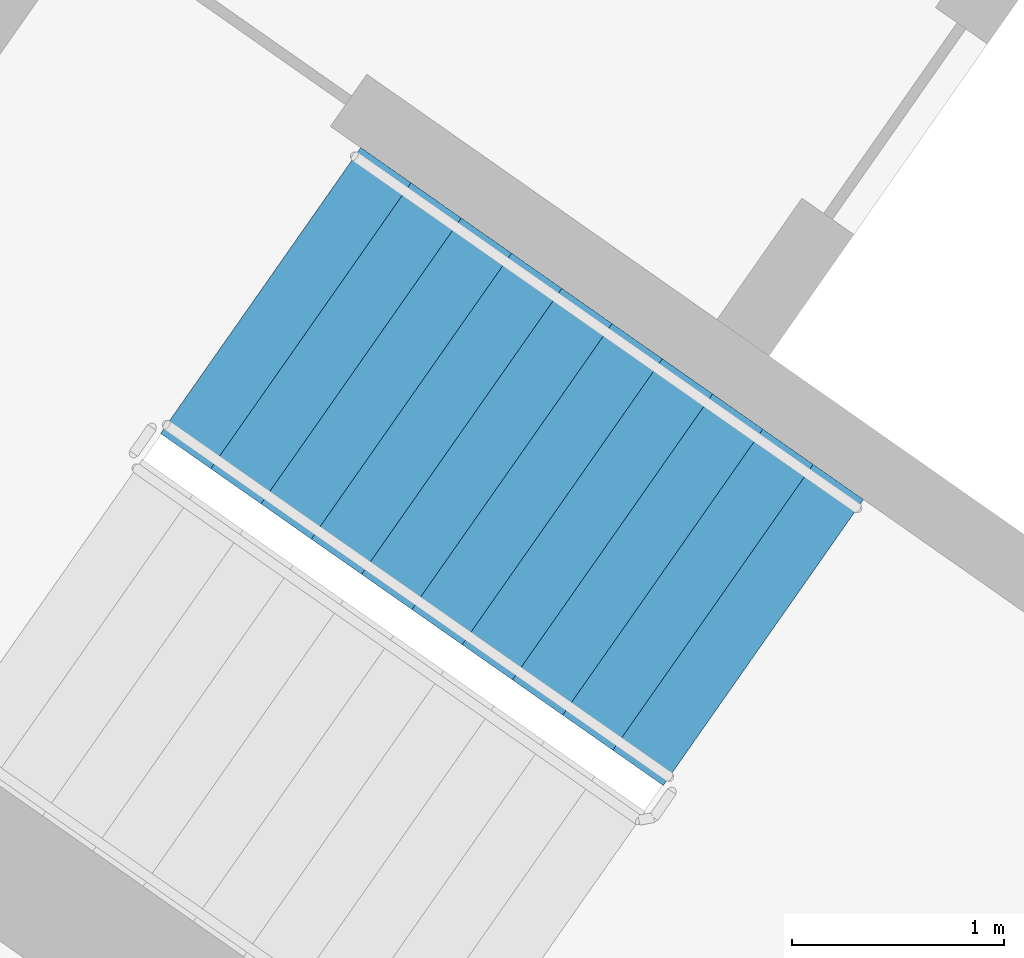
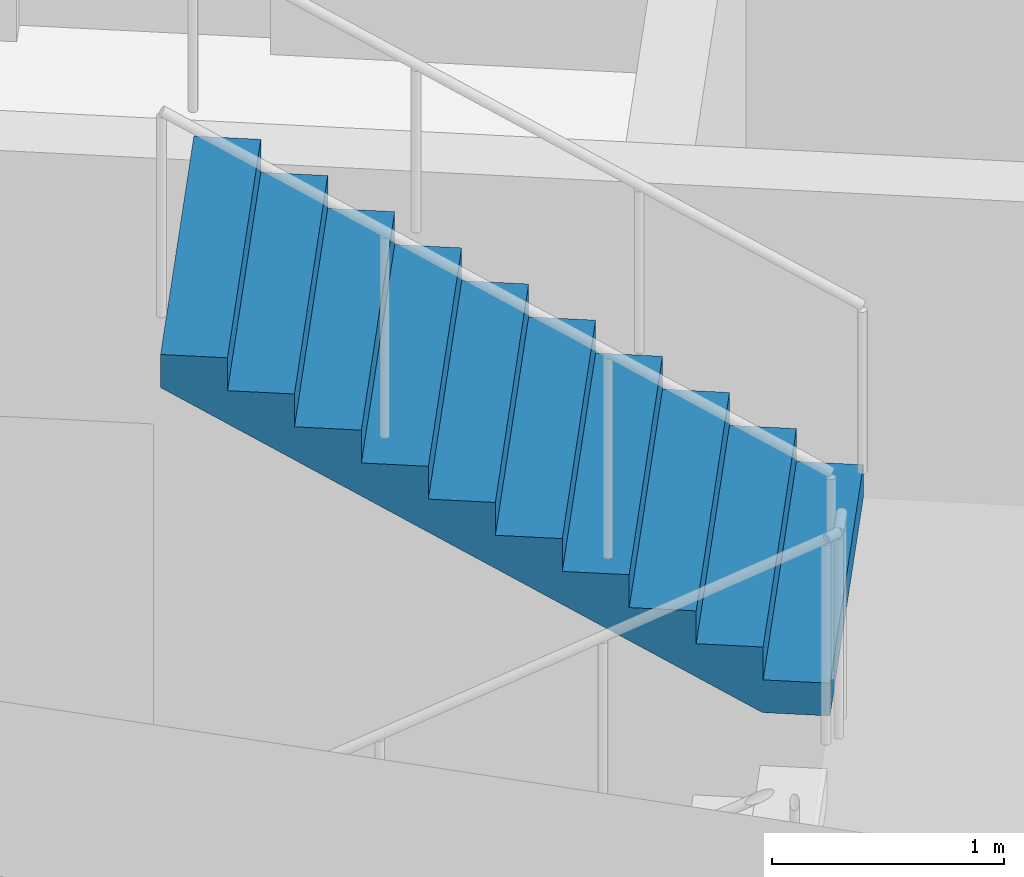
# One storey, part 10 of 28: 1 stair flight, 1 element without a shape of its own.
"""IFC4 building model written with IfcOpenShell, lengths in metres."""

from ifc_helpers import new_model, si_unit, direction, frame, origin, place, context, subcontext, project, spatial, faceted_brep, material, type_object, element, aggregate, save


model = new_model("IFC4")

# Units and contexts
model_context = context("Model", 3, precision=1e-05, world=origin(), true_north=direction((0.0, 1.0)))
body_context = subcontext(model_context, "Body", "Model", "MODEL_VIEW")
ifc_project = project(units=[si_unit("LENGTHUNIT", "METRE"), si_unit("AREAUNIT", "SQUARE_METRE"), si_unit("VOLUMEUNIT", "CUBIC_METRE"), si_unit("PLANEANGLEUNIT", "RADIAN"), si_unit("MASSUNIT", "GRAM", prefix="KILO")], contexts=[model_context])

# Site, building, storey
site_placement = place(None, origin())
site = spatial("IfcSite", under=ifc_project, at=site_placement, CompositionType="ELEMENT")
building_placement = place(site_placement, origin())
building = spatial("IfcBuilding", under=site, at=building_placement, Name="Qamariyya Broadcast Tower", CompositionType="ELEMENT")
storey_placement = place(building_placement, frame((0.0, 0.0, 265.699951171875)))
storey = spatial("IfcBuildingStorey", under=building, at=storey_placement, Name="L64", CompositionType="ELEMENT", Elevation=265.699951171875)

# Stair, stair flight
ifc_material = material(Name="Concrete C50/60", Category="concrete")
stair_type = type_object("IfcStairType", Name="Exit stair 22 risers of 173 mm", PredefinedType="HALF_TURN_STAIR", material=ifc_material)
stair_placement = place(storey_placement, origin())
stair = element("IfcStair", 1, at=stair_placement, inside=storey, type_object=stair_type, Name="L64 Stair W1", PredefinedType="HALF_TURN_STAIR")
stair_flight_type = type_object("IfcStairFlightType", Name="Exit stair flight 11 risers of 173 mm", PredefinedType="STRAIGHT", material=ifc_material)
stair_flight_placement = place(storey_placement, frame((-43.660888671875, -57.17138671875, 1.900146484375), z_axis=(0.0, 0.0, 1.0), x_axis=(-0.819152044289, 0.573576436351, 0.0)))
stair_flight = element("IfcStairFlight", 2, at=stair_flight_placement, type_object=stair_flight_type, Name="ST-W1 flight 2", NumberOfRisers=11, NumberOfTreads=10, PredefinedType="STRAIGHT", RiserHeight=0.172727273, TreadLength=0.29, context=body_context, shape_type="Brep", body=[
    faceted_brep([(0.0, 0.824951171875, 0.0), (0.0, 0.824951171875, 0.172607421875), (0.2900390625, 0.824951171875, 0.172607421875), (0.2900390625, 0.824951171875, 0.345458984375), (0.580078125, 0.824951171875, 0.345458984375), (0.580078125, 0.824951171875, 0.51806640625), (0.8701171875, 0.824951171875, 0.51806640625), (0.8701171875, 0.824951171875, 0.69091796875), (1.159912109375, 0.824951171875, 0.69091796875), (1.159912109375, 0.824951171875, 0.863525390625), (1.449951171875, 0.824951171875, 0.863525390625), (1.449951171875, 0.824951171875, 1.036376953125), (1.739990234375, 0.824951171875, 1.036376953125), (1.739990234375, 0.824951171875, 1.208984375), (2.030029296875, 0.824951171875, 1.208984375), (2.030029296875, 0.824951171875, 1.3818359375), (2.320068359375, 0.824951171875, 1.3818359375), (2.320068359375, 0.824951171875, 1.554443359375), (2.610107421875, 0.824951171875, 1.554443359375), (2.610107421875, 0.824951171875, 1.727294921875), (2.89990234375, 0.824951171875, 1.727294921875), (2.89990234375, 0.824951171875, 1.552734375), (0.29296875, 0.824951171875, 0.0), (0.29296875, -0.824951171875, 0.0), (2.89990234375, -0.824951171875, 1.552734375), (2.89990234375, -0.824951171875, 1.727294921875), (2.610107421875, -0.824951171875, 1.727294921875), (2.610107421875, -0.824951171875, 1.554443359375), (2.320068359375, -0.824951171875, 1.554443359375), (2.320068359375, -0.824951171875, 1.3818359375), (2.030029296875, -0.824951171875, 1.3818359375), (2.030029296875, -0.824951171875, 1.208984375), (1.739990234375, -0.824951171875, 1.208984375), (1.739990234375, -0.824951171875, 1.036376953125), (1.449951171875, -0.824951171875, 1.036376953125), (1.449951171875, -0.824951171875, 0.863525390625), (1.159912109375, -0.824951171875, 0.863525390625), (1.159912109375, -0.824951171875, 0.69091796875), (0.8701171875, -0.824951171875, 0.69091796875), (0.8701171875, -0.824951171875, 0.51806640625), (0.580078125, -0.824951171875, 0.51806640625), (0.580078125, -0.824951171875, 0.345458984375), (0.2900390625, -0.824951171875, 0.345458984375), (0.2900390625, -0.824951171875, 0.172607421875), (0.0, -0.824951171875, 0.172607421875), (0.0, -0.824951171875, 0.0), (0.0, 0.10009765625, 0.0), (0.0, 0.086669921875, 0.0), (0.0, 0.0732421875, 0.0), (0.0, 0.06005859375, 0.0), (0.0, 0.046630859375, 0.0), (0.0, 0.033447265625, 0.0), (0.0, 0.02001953125, 0.0), (0.0, 0.006591796875, 0.0), (0.0, -0.006591796875, 0.0), (0.0, -0.02001953125, 0.0), (0.0, -0.033447265625, 0.0), (0.0, -0.046630859375, 0.0), (0.0, -0.06005859375, 0.0), (0.0, -0.0732421875, 0.0), (0.0, -0.086669921875, 0.0), (0.0, -0.10009765625, 0.0), (0.0, -0.10009765625, 0.172607421875), (0.0, -0.086669921875, 0.172607421875), (0.0, -0.0732421875, 0.172607421875), (0.0, -0.06005859375, 0.172607421875), (0.0, -0.046630859375, 0.172607421875), (0.0, -0.033447265625, 0.172607421875), (0.0, -0.02001953125, 0.172607421875), (0.0, -0.006591796875, 0.172607421875), (0.0, 0.006591796875, 0.172607421875), (0.0, 0.02001953125, 0.172607421875), (0.0, 0.033447265625, 0.172607421875), (0.0, 0.046630859375, 0.172607421875), (0.0, 0.06005859375, 0.172607421875), (0.0, 0.0732421875, 0.172607421875), (0.0, 0.086669921875, 0.172607421875), (0.0, 0.10009765625, 0.172607421875), (0.2900390625, -0.10009765625, 0.172607421875), (0.2900390625, -0.086669921875, 0.172607421875), (0.2900390625, -0.0732421875, 0.172607421875), (0.2900390625, -0.06005859375, 0.172607421875), (0.2900390625, -0.046630859375, 0.172607421875), (0.2900390625, -0.033447265625, 0.172607421875), (0.2900390625, -0.02001953125, 0.172607421875), (0.2900390625, -0.006591796875, 0.172607421875), (0.2900390625, 0.006591796875, 0.172607421875), (0.2900390625, 0.02001953125, 0.172607421875), (0.2900390625, 0.033447265625, 0.172607421875), (0.2900390625, 0.046630859375, 0.172607421875), (0.2900390625, 0.06005859375, 0.172607421875), (0.2900390625, 0.0732421875, 0.172607421875), (0.2900390625, 0.086669921875, 0.172607421875), (0.2900390625, 0.10009765625, 0.172607421875), (0.2900390625, -0.10009765625, 0.345458984375), (0.2900390625, -0.086669921875, 0.345458984375), (0.2900390625, -0.0732421875, 0.345458984375), (0.2900390625, -0.06005859375, 0.345458984375), (0.2900390625, -0.046630859375, 0.345458984375), (0.2900390625, -0.033447265625, 0.345458984375), (0.2900390625, -0.02001953125, 0.345458984375), (0.2900390625, -0.006591796875, 0.345458984375), (0.2900390625, 0.006591796875, 0.345458984375), (0.2900390625, 0.02001953125, 0.345458984375), (0.2900390625, 0.033447265625, 0.345458984375), (0.2900390625, 0.046630859375, 0.345458984375), (0.2900390625, 0.06005859375, 0.345458984375), (0.2900390625, 0.0732421875, 0.345458984375), (0.2900390625, 0.086669921875, 0.345458984375), (0.2900390625, 0.10009765625, 0.345458984375), (0.580078125, -0.10009765625, 0.345458984375), (0.580078125, -0.086669921875, 0.345458984375), (0.580078125, -0.0732421875, 0.345458984375), (0.580078125, -0.06005859375, 0.345458984375), (0.580078125, -0.046630859375, 0.345458984375), (0.580078125, -0.033447265625, 0.345458984375), (0.580078125, -0.02001953125, 0.345458984375), (0.580078125, -0.006591796875, 0.345458984375), (0.580078125, 0.006591796875, 0.345458984375), (0.580078125, 0.02001953125, 0.345458984375), (0.580078125, 0.033447265625, 0.345458984375), (0.580078125, 0.046630859375, 0.345458984375), (0.580078125, 0.06005859375, 0.345458984375), (0.580078125, 0.0732421875, 0.345458984375), (0.580078125, 0.086669921875, 0.345458984375), (0.580078125, 0.10009765625, 0.345458984375), (0.580078125, -0.10009765625, 0.51806640625), (0.580078125, -0.086669921875, 0.51806640625), (0.580078125, -0.0732421875, 0.51806640625), (0.580078125, -0.06005859375, 0.51806640625), (0.580078125, -0.046630859375, 0.51806640625), (0.580078125, -0.033447265625, 0.51806640625), (0.580078125, -0.02001953125, 0.51806640625), (0.580078125, -0.006591796875, 0.51806640625), (0.580078125, 0.006591796875, 0.51806640625), (0.580078125, 0.02001953125, 0.51806640625), (0.580078125, 0.033447265625, 0.51806640625), (0.580078125, 0.046630859375, 0.51806640625), (0.580078125, 0.06005859375, 0.51806640625), (0.580078125, 0.0732421875, 0.51806640625), (0.580078125, 0.086669921875, 0.51806640625), (0.580078125, 0.10009765625, 0.51806640625), (0.8701171875, -0.10009765625, 0.51806640625), (0.8701171875, -0.086669921875, 0.51806640625), (0.8701171875, -0.0732421875, 0.51806640625), (0.8701171875, -0.06005859375, 0.51806640625), (0.8701171875, -0.046630859375, 0.51806640625), (0.8701171875, -0.033447265625, 0.51806640625), (0.8701171875, -0.02001953125, 0.51806640625), (0.8701171875, -0.006591796875, 0.51806640625), (0.8701171875, 0.006591796875, 0.51806640625), (0.8701171875, 0.02001953125, 0.51806640625), (0.8701171875, 0.033447265625, 0.51806640625), (0.8701171875, 0.046630859375, 0.51806640625), (0.8701171875, 0.06005859375, 0.51806640625), (0.8701171875, 0.0732421875, 0.51806640625), (0.8701171875, 0.086669921875, 0.51806640625), (0.8701171875, 0.10009765625, 0.51806640625), (0.8701171875, -0.10009765625, 0.69091796875), (0.8701171875, -0.086669921875, 0.69091796875), (0.8701171875, -0.0732421875, 0.69091796875), (0.8701171875, -0.06005859375, 0.69091796875), (0.8701171875, -0.046630859375, 0.69091796875), (0.8701171875, -0.033447265625, 0.69091796875), (0.8701171875, -0.02001953125, 0.69091796875), (0.8701171875, -0.006591796875, 0.69091796875), (0.8701171875, 0.006591796875, 0.69091796875), (0.8701171875, 0.02001953125, 0.69091796875), (0.8701171875, 0.033447265625, 0.69091796875), (0.8701171875, 0.046630859375, 0.69091796875), (0.8701171875, 0.06005859375, 0.69091796875), (0.8701171875, 0.0732421875, 0.69091796875), (0.8701171875, 0.086669921875, 0.69091796875), (0.8701171875, 0.10009765625, 0.69091796875), (1.159912109375, -0.10009765625, 0.69091796875), (1.159912109375, -0.086669921875, 0.69091796875), (1.159912109375, -0.0732421875, 0.69091796875), (1.159912109375, -0.06005859375, 0.69091796875), (1.159912109375, -0.046630859375, 0.69091796875), (1.159912109375, -0.033447265625, 0.69091796875), (1.159912109375, -0.02001953125, 0.69091796875), (1.159912109375, -0.006591796875, 0.69091796875), (1.159912109375, 0.006591796875, 0.69091796875), (1.159912109375, 0.02001953125, 0.69091796875), (1.159912109375, 0.033447265625, 0.69091796875), (1.159912109375, 0.046630859375, 0.69091796875), (1.159912109375, 0.06005859375, 0.69091796875), (1.159912109375, 0.0732421875, 0.69091796875), (1.159912109375, 0.086669921875, 0.69091796875), (1.159912109375, 0.10009765625, 0.69091796875), (1.159912109375, -0.10009765625, 0.863525390625), (1.159912109375, -0.086669921875, 0.863525390625), (1.159912109375, -0.0732421875, 0.863525390625), (1.159912109375, -0.06005859375, 0.863525390625), (1.159912109375, -0.046630859375, 0.863525390625), (1.159912109375, -0.033447265625, 0.863525390625), (1.159912109375, -0.02001953125, 0.863525390625), (1.159912109375, -0.006591796875, 0.863525390625), (1.159912109375, 0.006591796875, 0.863525390625), (1.159912109375, 0.02001953125, 0.863525390625), (1.159912109375, 0.033447265625, 0.863525390625), (1.159912109375, 0.046630859375, 0.863525390625), (1.159912109375, 0.06005859375, 0.863525390625), (1.159912109375, 0.0732421875, 0.863525390625), (1.159912109375, 0.086669921875, 0.863525390625), (1.159912109375, 0.10009765625, 0.863525390625), (1.449951171875, -0.10009765625, 0.863525390625), (1.449951171875, -0.086669921875, 0.863525390625), (1.449951171875, -0.0732421875, 0.863525390625), (1.449951171875, -0.06005859375, 0.863525390625), (1.449951171875, -0.046630859375, 0.863525390625), (1.449951171875, -0.033447265625, 0.863525390625), (1.449951171875, -0.02001953125, 0.863525390625), (1.449951171875, -0.006591796875, 0.863525390625), (1.449951171875, 0.006591796875, 0.863525390625), (1.449951171875, 0.02001953125, 0.863525390625), (1.449951171875, 0.033447265625, 0.863525390625), (1.449951171875, 0.046630859375, 0.863525390625), (1.449951171875, 0.06005859375, 0.863525390625), (1.449951171875, 0.0732421875, 0.863525390625), (1.449951171875, 0.086669921875, 0.863525390625), (1.449951171875, 0.10009765625, 0.863525390625), (1.449951171875, -0.10009765625, 1.036376953125), (1.449951171875, -0.086669921875, 1.036376953125), (1.449951171875, -0.0732421875, 1.036376953125), (1.449951171875, -0.06005859375, 1.036376953125), (1.449951171875, -0.046630859375, 1.036376953125), (1.449951171875, -0.033447265625, 1.036376953125), (1.449951171875, -0.02001953125, 1.036376953125), (1.449951171875, -0.006591796875, 1.036376953125), (1.449951171875, 0.006591796875, 1.036376953125), (1.449951171875, 0.02001953125, 1.036376953125), (1.449951171875, 0.033447265625, 1.036376953125), (1.449951171875, 0.046630859375, 1.036376953125), (1.449951171875, 0.06005859375, 1.036376953125), (1.449951171875, 0.0732421875, 1.036376953125), (1.449951171875, 0.086669921875, 1.036376953125), (1.449951171875, 0.10009765625, 1.036376953125), (1.739990234375, -0.10009765625, 1.036376953125), (1.739990234375, -0.086669921875, 1.036376953125), (1.739990234375, -0.0732421875, 1.036376953125), (1.739990234375, -0.06005859375, 1.036376953125), (1.739990234375, -0.046630859375, 1.036376953125), (1.739990234375, -0.033447265625, 1.036376953125), (1.739990234375, -0.02001953125, 1.036376953125), (1.739990234375, -0.006591796875, 1.036376953125), (1.739990234375, 0.006591796875, 1.036376953125), (1.739990234375, 0.02001953125, 1.036376953125), (1.739990234375, 0.033447265625, 1.036376953125), (1.739990234375, 0.046630859375, 1.036376953125), (1.739990234375, 0.06005859375, 1.036376953125), (1.739990234375, 0.0732421875, 1.036376953125), (1.739990234375, 0.086669921875, 1.036376953125), (1.739990234375, 0.10009765625, 1.036376953125), (1.739990234375, -0.10009765625, 1.208984375), (1.739990234375, -0.086669921875, 1.208984375), (1.739990234375, -0.0732421875, 1.208984375), (1.739990234375, -0.06005859375, 1.208984375), (1.739990234375, -0.046630859375, 1.208984375), (1.739990234375, -0.033447265625, 1.208984375), (1.739990234375, -0.02001953125, 1.208984375), (1.739990234375, -0.006591796875, 1.208984375), (1.739990234375, 0.006591796875, 1.208984375), (1.739990234375, 0.02001953125, 1.208984375), (1.739990234375, 0.033447265625, 1.208984375), (1.739990234375, 0.046630859375, 1.208984375), (1.739990234375, 0.06005859375, 1.208984375), (1.739990234375, 0.0732421875, 1.208984375), (1.739990234375, 0.086669921875, 1.208984375), (1.739990234375, 0.10009765625, 1.208984375), (2.030029296875, -0.10009765625, 1.208984375), (2.030029296875, -0.086669921875, 1.208984375), (2.030029296875, -0.0732421875, 1.208984375), (2.030029296875, -0.06005859375, 1.208984375), (2.030029296875, -0.046630859375, 1.208984375), (2.030029296875, -0.033447265625, 1.208984375), (2.030029296875, -0.02001953125, 1.208984375), (2.030029296875, -0.006591796875, 1.208984375), (2.030029296875, 0.006591796875, 1.208984375), (2.030029296875, 0.02001953125, 1.208984375), (2.030029296875, 0.033447265625, 1.208984375), (2.030029296875, 0.046630859375, 1.208984375), (2.030029296875, 0.06005859375, 1.208984375), (2.030029296875, 0.0732421875, 1.208984375), (2.030029296875, 0.086669921875, 1.208984375), (2.030029296875, 0.10009765625, 1.208984375), (2.030029296875, -0.10009765625, 1.3818359375), (2.030029296875, -0.086669921875, 1.3818359375), (2.030029296875, -0.0732421875, 1.3818359375), (2.030029296875, -0.06005859375, 1.3818359375), (2.030029296875, -0.046630859375, 1.3818359375), (2.030029296875, -0.033447265625, 1.3818359375), (2.030029296875, -0.02001953125, 1.3818359375), (2.030029296875, -0.006591796875, 1.3818359375), (2.030029296875, 0.006591796875, 1.3818359375), (2.030029296875, 0.02001953125, 1.3818359375), (2.030029296875, 0.033447265625, 1.3818359375), (2.030029296875, 0.046630859375, 1.3818359375), (2.030029296875, 0.06005859375, 1.3818359375), (2.030029296875, 0.0732421875, 1.3818359375), (2.030029296875, 0.086669921875, 1.3818359375), (2.030029296875, 0.10009765625, 1.3818359375), (2.320068359375, -0.10009765625, 1.3818359375), (2.320068359375, -0.086669921875, 1.3818359375), (2.320068359375, -0.0732421875, 1.3818359375), (2.320068359375, -0.06005859375, 1.3818359375), (2.320068359375, -0.046630859375, 1.3818359375), (2.320068359375, -0.033447265625, 1.3818359375), (2.320068359375, -0.02001953125, 1.3818359375), (2.320068359375, -0.006591796875, 1.3818359375), (2.320068359375, 0.006591796875, 1.3818359375), (2.320068359375, 0.02001953125, 1.3818359375), (2.320068359375, 0.033447265625, 1.3818359375), (2.320068359375, 0.046630859375, 1.3818359375), (2.320068359375, 0.06005859375, 1.3818359375), (2.320068359375, 0.0732421875, 1.3818359375), (2.320068359375, 0.086669921875, 1.3818359375), (2.320068359375, 0.10009765625, 1.3818359375), (2.320068359375, -0.10009765625, 1.554443359375), (2.320068359375, -0.086669921875, 1.554443359375), (2.320068359375, -0.0732421875, 1.554443359375), (2.320068359375, -0.06005859375, 1.554443359375), (2.320068359375, -0.046630859375, 1.554443359375), (2.320068359375, -0.033447265625, 1.554443359375), (2.320068359375, -0.02001953125, 1.554443359375), (2.320068359375, -0.006591796875, 1.554443359375), (2.320068359375, 0.006591796875, 1.554443359375), (2.320068359375, 0.02001953125, 1.554443359375), (2.320068359375, 0.033447265625, 1.554443359375), (2.320068359375, 0.046630859375, 1.554443359375), (2.320068359375, 0.06005859375, 1.554443359375), (2.320068359375, 0.0732421875, 1.554443359375), (2.320068359375, 0.086669921875, 1.554443359375), (2.320068359375, 0.10009765625, 1.554443359375), (2.610107421875, -0.10009765625, 1.554443359375), (2.610107421875, -0.086669921875, 1.554443359375), (2.610107421875, -0.0732421875, 1.554443359375), (2.610107421875, -0.06005859375, 1.554443359375), (2.610107421875, -0.046630859375, 1.554443359375), (2.610107421875, -0.033447265625, 1.554443359375), (2.610107421875, -0.02001953125, 1.554443359375), (2.610107421875, -0.006591796875, 1.554443359375), (2.610107421875, 0.006591796875, 1.554443359375), (2.610107421875, 0.02001953125, 1.554443359375), (2.610107421875, 0.033447265625, 1.554443359375), (2.610107421875, 0.046630859375, 1.554443359375), (2.610107421875, 0.06005859375, 1.554443359375), (2.610107421875, 0.0732421875, 1.554443359375), (2.610107421875, 0.086669921875, 1.554443359375), (2.610107421875, 0.10009765625, 1.554443359375), (2.610107421875, -0.10009765625, 1.727294921875), (2.610107421875, -0.086669921875, 1.727294921875), (2.610107421875, -0.0732421875, 1.727294921875), (2.610107421875, -0.06005859375, 1.727294921875), (2.610107421875, -0.046630859375, 1.727294921875), (2.610107421875, -0.033447265625, 1.727294921875), (2.610107421875, -0.02001953125, 1.727294921875), (2.610107421875, -0.006591796875, 1.727294921875), (2.610107421875, 0.006591796875, 1.727294921875), (2.610107421875, 0.02001953125, 1.727294921875), (2.610107421875, 0.033447265625, 1.727294921875), (2.610107421875, 0.046630859375, 1.727294921875), (2.610107421875, 0.06005859375, 1.727294921875), (2.610107421875, 0.0732421875, 1.727294921875), (2.610107421875, 0.086669921875, 1.727294921875), (2.610107421875, 0.10009765625, 1.727294921875), (2.89990234375, -0.10009765625, 1.727294921875), (2.89990234375, -0.086669921875, 1.727294921875), (2.89990234375, -0.0732421875, 1.727294921875), (2.89990234375, -0.06005859375, 1.727294921875), (2.89990234375, -0.046630859375, 1.727294921875), (2.89990234375, -0.033447265625, 1.727294921875), (2.89990234375, -0.02001953125, 1.727294921875), (2.89990234375, -0.006591796875, 1.727294921875), (2.89990234375, 0.006591796875, 1.727294921875), (2.89990234375, 0.02001953125, 1.727294921875), (2.89990234375, 0.033447265625, 1.727294921875), (2.89990234375, 0.046630859375, 1.727294921875), (2.89990234375, 0.06005859375, 1.727294921875), (2.89990234375, 0.0732421875, 1.727294921875), (2.89990234375, 0.086669921875, 1.727294921875), (2.89990234375, 0.10009765625, 1.727294921875), (2.89990234375, -0.10009765625, 1.552734375), (2.89990234375, -0.086669921875, 1.552734375), (2.89990234375, -0.0732421875, 1.552734375), (2.89990234375, -0.06005859375, 1.552734375), (2.89990234375, -0.046630859375, 1.552734375), (2.89990234375, -0.033447265625, 1.552734375), (2.89990234375, -0.02001953125, 1.552734375), (2.89990234375, -0.006591796875, 1.552734375), (2.89990234375, 0.006591796875, 1.552734375), (2.89990234375, 0.02001953125, 1.552734375), (2.89990234375, 0.033447265625, 1.552734375), (2.89990234375, 0.046630859375, 1.552734375), (2.89990234375, 0.06005859375, 1.552734375), (2.89990234375, 0.0732421875, 1.552734375), (2.89990234375, 0.086669921875, 1.552734375), (2.89990234375, 0.10009765625, 1.552734375), (0.29296875, -0.10009765625, 0.0), (0.29296875, -0.086669921875, 0.0), (0.29296875, -0.0732421875, 0.0), (0.29296875, -0.06005859375, 0.0), (0.29296875, -0.046630859375, 0.0), (0.29296875, -0.033447265625, 0.0), (0.29296875, -0.02001953125, 0.0), (0.29296875, -0.006591796875, 0.0), (0.29296875, 0.006591796875, 0.0), (0.29296875, 0.02001953125, 0.0), (0.29296875, 0.033447265625, 0.0), (0.29296875, 0.046630859375, 0.0), (0.29296875, 0.06005859375, 0.0), (0.29296875, 0.0732421875, 0.0), (0.29296875, 0.086669921875, 0.0), (0.29296875, 0.10009765625, 0.0)], [[[0, 1, 2, 3, 4, 5, 6, 7, 8, 9, 10, 11, 12, 13, 14, 15, 16, 17, 18, 19, 20, 21, 22]], [[23, 24, 25, 26, 27, 28, 29, 30, 31, 32, 33, 34, 35, 36, 37, 38, 39, 40, 41, 42, 43, 44, 45]], [[0, 46, 47, 48, 49, 50, 51, 52, 53, 54, 55, 56, 57, 58, 59, 60, 61, 45, 44, 62, 63, 64, 65, 66, 67, 68, 69, 70, 71, 72, 73, 74, 75, 76, 77, 1]], [[1, 77, 76, 75, 74, 73, 72, 71, 70, 69, 68, 67, 66, 65, 64, 63, 62, 44, 43, 78, 79, 80, 81, 82, 83, 84, 85, 86, 87, 88, 89, 90, 91, 92, 93, 2]], [[2, 93, 92, 91, 90, 89, 88, 87, 86, 85, 84, 83, 82, 81, 80, 79, 78, 43, 42, 94, 95, 96, 97, 98, 99, 100, 101, 102, 103, 104, 105, 106, 107, 108, 109, 3]], [[3, 109, 108, 107, 106, 105, 104, 103, 102, 101, 100, 99, 98, 97, 96, 95, 94, 42, 41, 110, 111, 112, 113, 114, 115, 116, 117, 118, 119, 120, 121, 122, 123, 124, 125, 4]], [[4, 125, 124, 123, 122, 121, 120, 119, 118, 117, 116, 115, 114, 113, 112, 111, 110, 41, 40, 126, 127, 128, 129, 130, 131, 132, 133, 134, 135, 136, 137, 138, 139, 140, 141, 5]], [[5, 141, 140, 139, 138, 137, 136, 135, 134, 133, 132, 131, 130, 129, 128, 127, 126, 40, 39, 142, 143, 144, 145, 146, 147, 148, 149, 150, 151, 152, 153, 154, 155, 156, 157, 6]], [[6, 157, 156, 155, 154, 153, 152, 151, 150, 149, 148, 147, 146, 145, 144, 143, 142, 39, 38, 158, 159, 160, 161, 162, 163, 164, 165, 166, 167, 168, 169, 170, 171, 172, 173, 7]], [[7, 173, 172, 171, 170, 169, 168, 167, 166, 165, 164, 163, 162, 161, 160, 159, 158, 38, 37, 174, 175, 176, 177, 178, 179, 180, 181, 182, 183, 184, 185, 186, 187, 188, 189, 8]], [[8, 189, 188, 187, 186, 185, 184, 183, 182, 181, 180, 179, 178, 177, 176, 175, 174, 37, 36, 190, 191, 192, 193, 194, 195, 196, 197, 198, 199, 200, 201, 202, 203, 204, 205, 9]], [[9, 205, 204, 203, 202, 201, 200, 199, 198, 197, 196, 195, 194, 193, 192, 191, 190, 36, 35, 206, 207, 208, 209, 210, 211, 212, 213, 214, 215, 216, 217, 218, 219, 220, 221, 10]], [[10, 221, 220, 219, 218, 217, 216, 215, 214, 213, 212, 211, 210, 209, 208, 207, 206, 35, 34, 222, 223, 224, 225, 226, 227, 228, 229, 230, 231, 232, 233, 234, 235, 236, 237, 11]], [[11, 237, 236, 235, 234, 233, 232, 231, 230, 229, 228, 227, 226, 225, 224, 223, 222, 34, 33, 238, 239, 240, 241, 242, 243, 244, 245, 246, 247, 248, 249, 250, 251, 252, 253, 12]], [[12, 253, 252, 251, 250, 249, 248, 247, 246, 245, 244, 243, 242, 241, 240, 239, 238, 33, 32, 254, 255, 256, 257, 258, 259, 260, 261, 262, 263, 264, 265, 266, 267, 268, 269, 13]], [[13, 269, 268, 267, 266, 265, 264, 263, 262, 261, 260, 259, 258, 257, 256, 255, 254, 32, 31, 270, 271, 272, 273, 274, 275, 276, 277, 278, 279, 280, 281, 282, 283, 284, 285, 14]], [[14, 285, 284, 283, 282, 281, 280, 279, 278, 277, 276, 275, 274, 273, 272, 271, 270, 31, 30, 286, 287, 288, 289, 290, 291, 292, 293, 294, 295, 296, 297, 298, 299, 300, 301, 15]], [[15, 301, 300, 299, 298, 297, 296, 295, 294, 293, 292, 291, 290, 289, 288, 287, 286, 30, 29, 302, 303, 304, 305, 306, 307, 308, 309, 310, 311, 312, 313, 314, 315, 316, 317, 16]], [[16, 317, 316, 315, 314, 313, 312, 311, 310, 309, 308, 307, 306, 305, 304, 303, 302, 29, 28, 318, 319, 320, 321, 322, 323, 324, 325, 326, 327, 328, 329, 330, 331, 332, 333, 17]], [[17, 333, 332, 331, 330, 329, 328, 327, 326, 325, 324, 323, 322, 321, 320, 319, 318, 28, 27, 334, 335, 336, 337, 338, 339, 340, 341, 342, 343, 344, 345, 346, 347, 348, 349, 18]], [[18, 349, 348, 347, 346, 345, 344, 343, 342, 341, 340, 339, 338, 337, 336, 335, 334, 27, 26, 350, 351, 352, 353, 354, 355, 356, 357, 358, 359, 360, 361, 362, 363, 364, 365, 19]], [[19, 365, 364, 363, 362, 361, 360, 359, 358, 357, 356, 355, 354, 353, 352, 351, 350, 26, 25, 366, 367, 368, 369, 370, 371, 372, 373, 374, 375, 376, 377, 378, 379, 380, 381, 20]], [[20, 381, 380, 379, 378, 377, 376, 375, 374, 373, 372, 371, 370, 369, 368, 367, 366, 25, 24, 382, 383, 384, 385, 386, 387, 388, 389, 390, 391, 392, 393, 394, 395, 396, 397, 21]], [[21, 397, 396, 395, 394, 393, 392, 391, 390, 389, 388, 387, 386, 385, 384, 383, 382, 24, 23, 398, 399, 400, 401, 402, 403, 404, 405, 406, 407, 408, 409, 410, 411, 412, 413, 22]], [[22, 413, 412, 411, 410, 409, 408, 407, 406, 405, 404, 403, 402, 401, 400, 399, 398, 23, 45, 61, 60, 59, 58, 57, 56, 55, 54, 53, 52, 51, 50, 49, 48, 47, 46, 0]]]),
])
aggregate(stair, [stair_flight])

save(model, "model.ifc")
